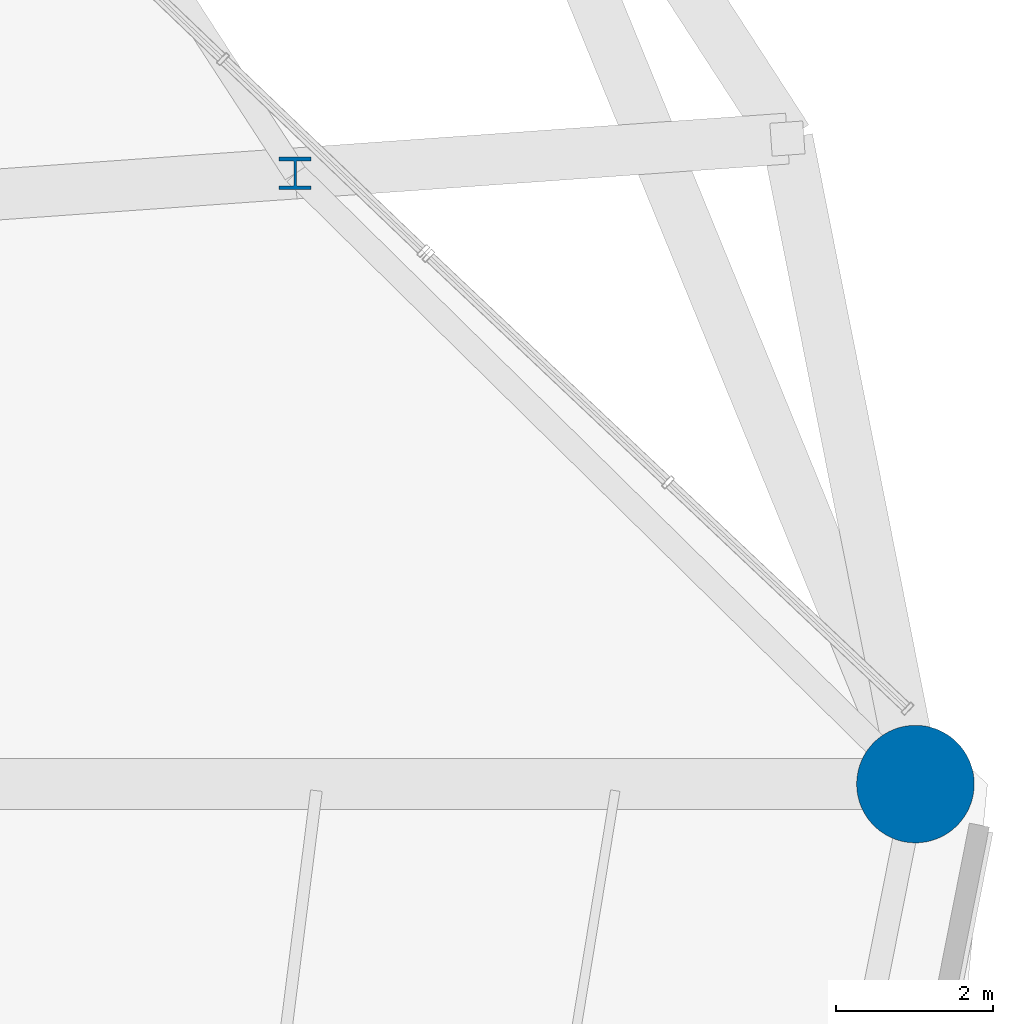
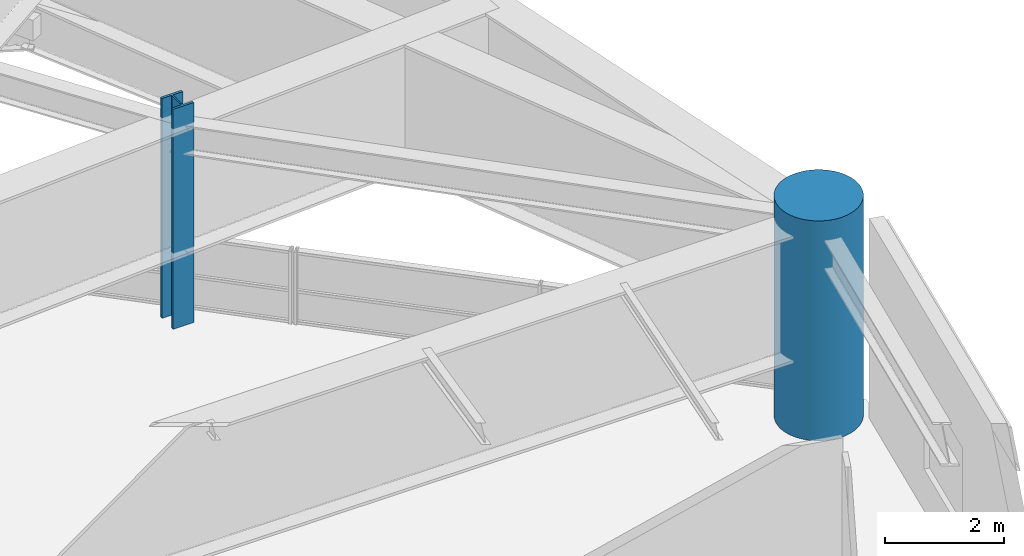
# One storey, part 2 of 52: 2 columns.
"""IFC4 building model written with IfcOpenShell, lengths in metres."""

from ifc_helpers import new_model, si_unit, direction, frame, origin, origin_2d, place, context, subcontext, project, spatial, circle, i_section, extrude, material, material_profile, profile_set, type_object, element, save


model = new_model("IFC4")

# Units and contexts
model_context = context("Model", 3, precision=1e-05, world=origin(), true_north=direction((0.0, 1.0)))
body_context = subcontext(model_context, "Body", "Model", "MODEL_VIEW")
ifc_project = project(units=[si_unit("LENGTHUNIT", "METRE"), si_unit("AREAUNIT", "SQUARE_METRE"), si_unit("VOLUMEUNIT", "CUBIC_METRE"), si_unit("PLANEANGLEUNIT", "RADIAN"), si_unit("MASSUNIT", "GRAM", prefix="KILO")], contexts=[model_context])

# Site, building, storey
site_placement = place(None, origin())
site = spatial("IfcSite", under=ifc_project, at=site_placement, CompositionType="ELEMENT")
building_placement = place(site_placement, origin())
building = spatial("IfcBuilding", under=site, at=building_placement, Name="Kelanora Arch Commons", CompositionType="ELEMENT")
storey_placement = place(building_placement, frame((0.0, 0.0, 13.5)))
storey = spatial("IfcBuildingStorey", under=building, at=storey_placement, Name="L03", CompositionType="ELEMENT", Elevation=13.5)

# Columns
ifc_material_1 = material(Name="Concrete C60/75", Category="concrete")
ifc_material_profile_1 = material_profile(ifc_material_1, circle(Radius=0.75, at=origin_2d()), Name="RCC1500")
ifc_profile_set_1 = profile_set([ifc_material_profile_1], Name="Concrete C60/75")
column_type_1 = type_object("IfcColumnType", Name="COL-PERIM-Z1", PredefinedType="COLUMN", material=ifc_profile_set_1)
column_1_placement = place(storey_placement, frame((101.080078125, 58.0, 0.0), z_axis=(0.0, 0.0, 1.0), x_axis=(1.0, 0.0, 0.0)))
element("IfcColumn", 1, at=column_1_placement, inside=storey, type_object=column_type_1, Name="Perimeter Ring Column CP-00 L03", PredefinedType="COLUMN", context=body_context, shape_type="SweptSolid", body=[
    extrude(circle(Radius=0.75, at=origin_2d()), origin(), (0.0, 0.0, 1.0), 4.5),
])
ifc_material_2 = material(Name="Steel S355", Category="steel")
ifc_material_profile_2 = material_profile(ifc_material_2, i_section(OverallWidth=0.406005859375, OverallDepth=0.416015625, WebThickness=0.029052734375, FlangeThickness=0.048095703125, FilletRadius=0.014892578125, at=origin_2d()), Name="HD400x382")
ifc_profile_set_2 = profile_set([ifc_material_profile_2], Name="Steel S355")
column_type_2 = type_object("IfcColumnType", Name="COL-PORCH", PredefinedType="COLUMN", material=ifc_profile_set_2)
column_2_placement = place(storey_placement, frame((93.166015625, 65.791015625, 0.0), z_axis=(0.0, 0.0, 1.0), x_axis=(1.0, 0.0, 0.0)))
element("IfcColumn", 2, at=column_2_placement, inside=storey, type_object=column_type_2, Name="Recessed Arch Portal Column CAP-02 L03", PredefinedType="COLUMN", context=body_context, shape_type="SweptSolid", body=[
    extrude(i_section(OverallWidth=0.406005859375, OverallDepth=0.416015625, WebThickness=0.029052734375, FlangeThickness=0.048095703125, FilletRadius=0.014892578125, at=origin_2d()), origin(), (0.0, 0.0, 1.0), 4.5),
])

save(model, "model.ifc")
